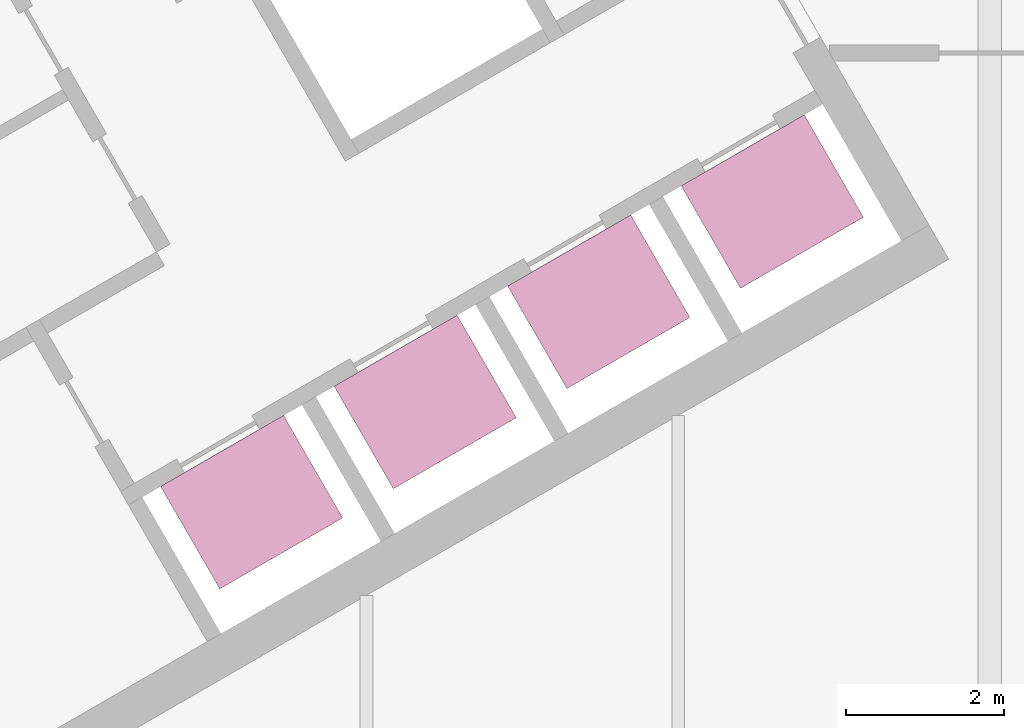
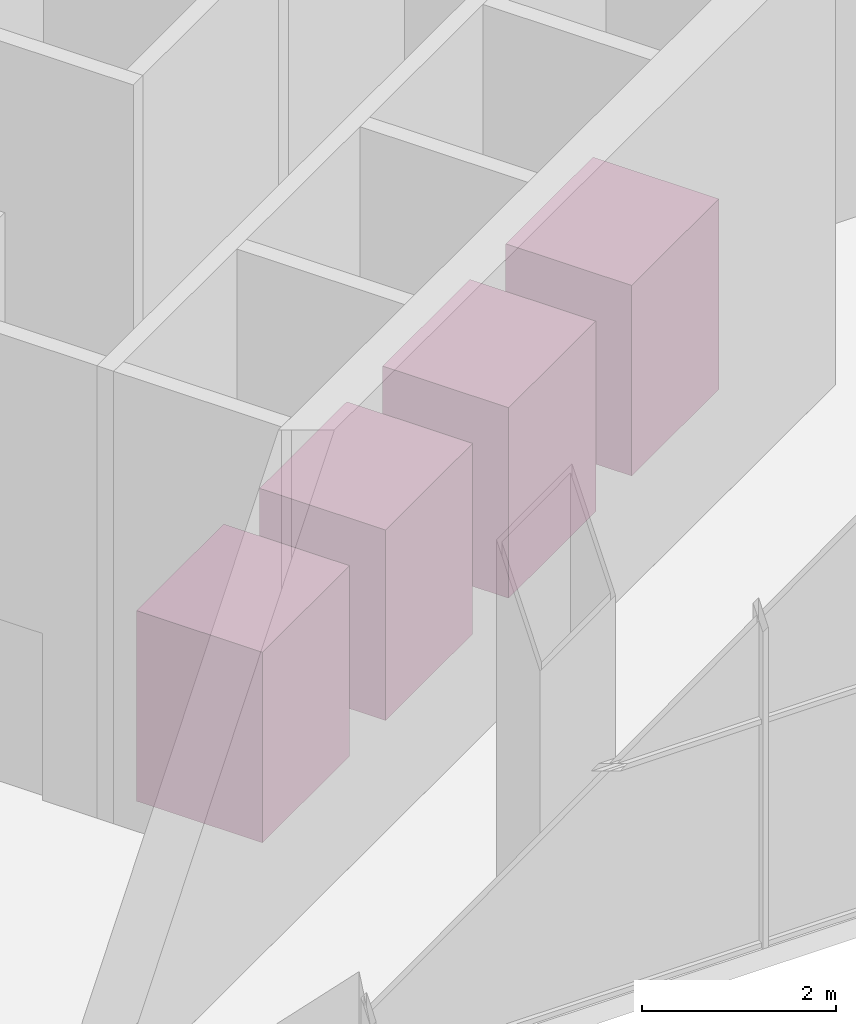
# One storey, part 14 of 14: 4 transport elements.
"""IFC4 building model written with IfcOpenShell, lengths in metres."""

from ifc_helpers import new_model, si_unit, direction, frame, origin, origin_2d, place, context, subcontext, project, spatial, rectangle, extrude, material, type_object, element, save


model = new_model("IFC4")

# Units and contexts
model_context = context("Model", 3, precision=1e-05, world=origin(), true_north=direction((0.0, 1.0)))
body_context = subcontext(model_context, "Body", "Model", "MODEL_VIEW")
ifc_project = project(units=[si_unit("LENGTHUNIT", "METRE"), si_unit("AREAUNIT", "SQUARE_METRE"), si_unit("VOLUMEUNIT", "CUBIC_METRE"), si_unit("PLANEANGLEUNIT", "RADIAN"), si_unit("MASSUNIT", "GRAM", prefix="KILO")], contexts=[model_context])

# Site, building, storey
site_placement = place(None, origin())
site = spatial("IfcSite", under=ifc_project, at=site_placement, CompositionType="ELEMENT")
building_placement = place(site_placement, origin())
building = spatial("IfcBuilding", under=site, at=building_placement, Name="Apuvela Tower Hotel", CompositionType="ELEMENT")
storey_placement = place(building_placement, frame((0.0, 0.0, 131.60009765625)))
storey = spatial("IfcBuildingStorey", under=building, at=storey_placement, Name="L31", CompositionType="ELEMENT", Elevation=131.60009765625)

# Transport elements
ifc_material = material(Name="Stainless steel car lining", Category="steel")
transport_element_type = type_object("IfcTransportElementType", Name="COR-LIFT-1350", PredefinedType="ELEVATOR", material=ifc_material)
for number, where, z_axis, x_axis, name in (
    (1, (-10.656494140625, -10.482666015625, 0.0), (0.0, 0.0, 1.0), (-0.866025403784, -0.5, 0.0), "Mid-rise passenger lift MR1"),
    (2, (-12.856201171875, -11.752685546875, 0.0), (0.0, 0.0, 1.0), (-0.866025403784, -0.5, 0.0), "Mid-rise passenger lift MR2"),
    (3, (-15.055908203125, -13.022705078125, 0.0), (0.0, 0.0, 1.0), (-0.866025403784, -0.5, 0.0), "Mid-rise passenger lift MR3"),
    (4, (-17.255615234375, -14.29248046875, 0.0), (0.0, 0.0, 1.0), (-0.866025403784, -0.5, 0.0), "Mid-rise passenger lift MR4"),
):
    element("IfcTransportElement", number, at=place(storey_placement, frame(where, z_axis=z_axis, x_axis=x_axis)), inside=storey, type_object=transport_element_type, Name=name, PredefinedType="ELEVATOR", context=body_context, shape_type="SweptSolid", body=[
        extrude(rectangle(XDim=1.800048828125, YDim=1.5, at=origin_2d()), origin(), (0.0, 0.0, 1.0), 2.39990234375),
    ])

save(model, "model.ifc")
